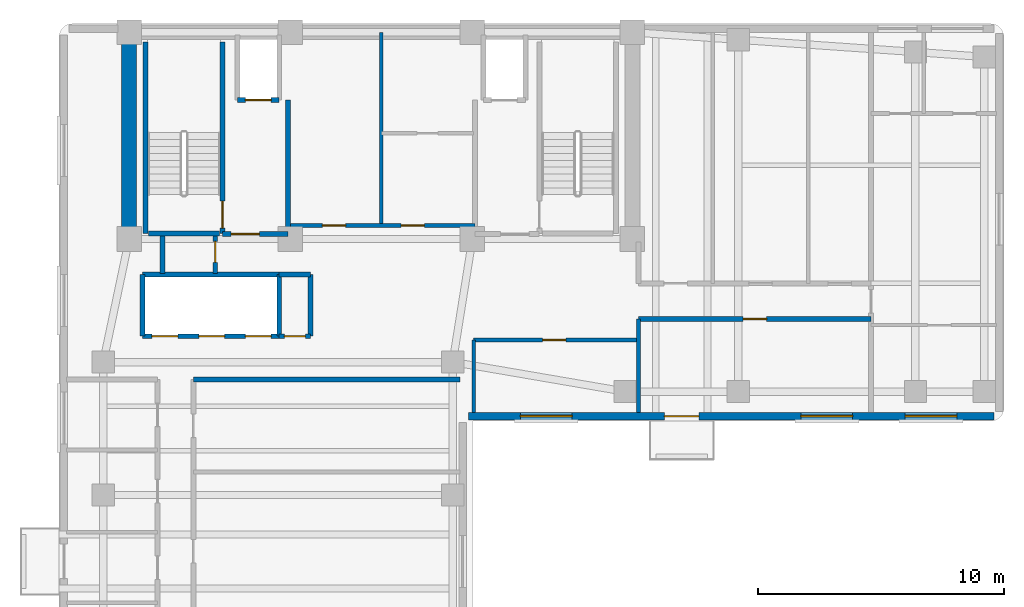
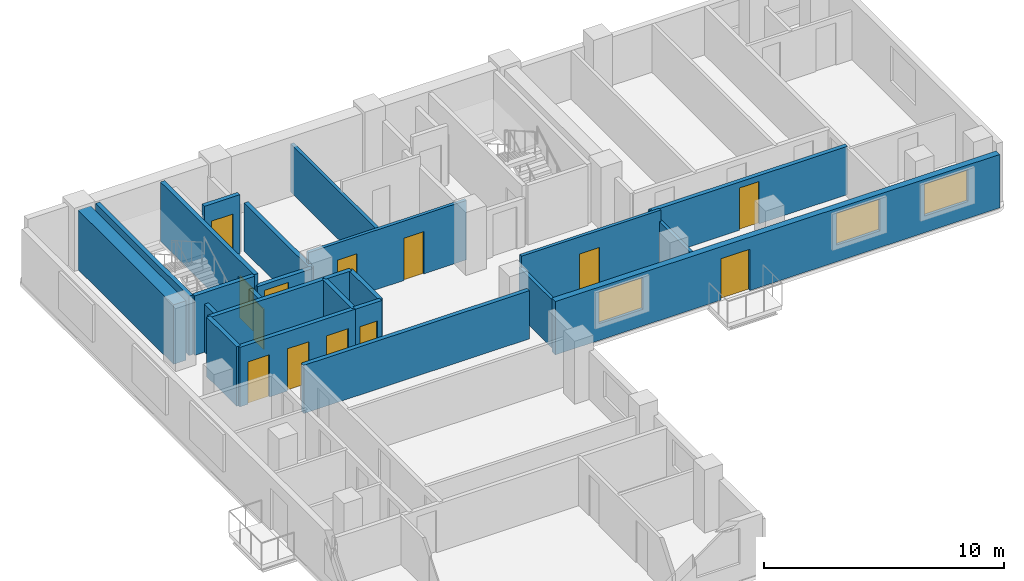
# One storey, part 3 of 7: 24 walls, 13 doors, 3 windows, 16 openings.
"""IFC4 building model written with IfcOpenShell, lengths in metres."""

from ifc_helpers import new_model, si_unit, direction, frame, frame_2d, origin, place, context, subcontext, project, spatial, rectangle, extrude, material, layer, layer_set, type_object, element, fill, save


model = new_model("IFC4")

# Units and contexts
model_context = context("Model", 3, precision=1e-05, world=origin(), true_north=direction((0.0, 1.0)))
body_context = subcontext(model_context, "Body", "Model", "MODEL_VIEW")
ifc_project = project(units=[si_unit("LENGTHUNIT", "METRE"), si_unit("AREAUNIT", "SQUARE_METRE"), si_unit("VOLUMEUNIT", "CUBIC_METRE"), si_unit("PLANEANGLEUNIT", "RADIAN"), si_unit("MASSUNIT", "GRAM", prefix="KILO")], contexts=[model_context])

# Site, building, storey
site_placement = place(None, origin())
site = spatial("IfcSite", under=ifc_project, at=site_placement, CompositionType="ELEMENT")
building_placement = place(site_placement, origin())
building = spatial("IfcBuilding", under=site, at=building_placement, Name="Kuzgunbayir Cultural Tower", CompositionType="ELEMENT")
storey_placement = place(building_placement, frame((0.0, 0.0, 179.199951171875)))
storey = spatial("IfcBuildingStorey", under=building, at=storey_placement, Name="L52", CompositionType="ELEMENT", Elevation=179.199951171875)

# Wall
ifc_material_1 = material(Name="Concrete C60/75", Category="concrete")
ifc_layer_1 = layer(ifc_material_1, 0.60009765625)
ifc_layer_set_1 = layer_set([ifc_layer_1], Name="Concrete C60/75")
wall_type_1 = type_object("IfcWallType", Name="WAL-CORE-600", PredefinedType="SHEAR", material=ifc_layer_set_1)
wall_1_placement = place(storey_placement, frame((6.449951171875, 33.800048828125, 0.0), z_axis=(0.0, 0.0, 1.0), x_axis=(0.0, 1.0, 0.0)))
element("IfcWall", 1, at=wall_1_placement, inside=storey, type_object=wall_type_1, Name="L52 T1 Core West Shear Wall", PredefinedType="SHEAR", context=body_context, shape_type="SweptSolid", body=[
    extrude(rectangle(XDim=7.949951171875, YDim=0.60009765625, at=frame_2d((3.97509765625, 0.0))), origin(), (0.0, 0.0, 1.0), 3.02001953125),
])

# Wall, openings, door, windows
ifc_material_2 = material(Name="Anatolian Cream Limestone", Category="masonry")
ifc_layer_2 = layer(ifc_material_2, 0.300048828125)
ifc_layer_set_2 = layer_set([ifc_layer_2], Name="Anatolian Cream Limestone")
wall_type_2 = type_object("IfcWallType", Name="WAL-EXT-STONE-300", PredefinedType="STANDARD", material=ifc_layer_set_2)
wall_2_placement = place(storey_placement, frame((20.25, 26.60009765625, 0.0), z_axis=(0.0, 0.0, 1.0), x_axis=(1.0, 0.0, 0.0)))
wall_2 = element("IfcWall", 2, at=wall_2_placement, inside=storey, type_object=wall_type_2, Name="L52 Wing B South Limestone Wall", PredefinedType="STANDARD", context=body_context, shape_type="SweptSolid", body=[
    extrude(rectangle(XDim=21.35009765625, YDim=0.300048828125, at=frame_2d((10.675048828125, 0.0))), origin(), (0.0, 0.0, 1.0), 2.7099609375),
])
opening_1_placement = place(wall_2_placement, frame((7.949951171875, 0.0, 0.0)))
opening_1 = element("IfcOpeningElement", 3, at=opening_1_placement, cuts=wall_2, Name="Opening BD-15", PredefinedType="OPENING", context=body_context, shape_type="SweptSolid", body=[
    extrude(rectangle(XDim=1.39990234375, YDim=2.10009765625, at=frame_2d((0.699951171875, 1.050048828125))), frame((0.0, 0.16015625, 0.0), z_axis=(0.0, -1.0, 0.0), x_axis=(1.0, 0.0, 0.0)), (0.0, 0.0, 1.0), 0.320068359375),
])
opening_2_placement = place(wall_2_placement, frame((17.72998046875, 0.0, 0.85009765625)))
opening_2 = element("IfcOpeningElement", 4, at=opening_2_placement, cuts=wall_2, Name="Opening WR-21", PredefinedType="OPENING", context=body_context, shape_type="SweptSolid", body=[
    extrude(rectangle(XDim=2.10009765625, YDim=1.610107421875, at=frame_2d((1.050048828125, 0.80517578125))), frame((0.0, 0.16015625, 0.0), z_axis=(0.0, -1.0, 0.0), x_axis=(1.0, 0.0, 0.0)), (0.0, 0.0, 1.0), 0.320068359375),
])
opening_3_placement = place(wall_2_placement, frame((2.10009765625, 0.0, 0.85009765625)))
opening_3 = element("IfcOpeningElement", 5, at=opening_3_placement, cuts=wall_2, Name="Opening WR-21", PredefinedType="OPENING", context=body_context, shape_type="SweptSolid", body=[
    extrude(rectangle(XDim=2.10009765625, YDim=1.610107421875, at=frame_2d((1.050048828125, 0.80517578125))), frame((0.0, 0.16015625, 0.0), z_axis=(0.0, -1.0, 0.0), x_axis=(1.0, 0.0, 0.0)), (0.0, 0.0, 1.0), 0.320068359375),
])
opening_4_placement = place(wall_2_placement, frame((13.5, 0.0, 0.85009765625)))
opening_4 = element("IfcOpeningElement", 6, at=opening_4_placement, cuts=wall_2, Name="Opening WR-21", PredefinedType="OPENING", context=body_context, shape_type="SweptSolid", body=[
    extrude(rectangle(XDim=2.10009765625, YDim=1.610107421875, at=frame_2d((1.050048828125, 0.80517578125))), frame((0.0, 0.16015625, 0.0), z_axis=(0.0, -1.0, 0.0), x_axis=(1.0, 0.0, 0.0)), (0.0, 0.0, 1.0), 0.320068359375),
])
ifc_material_3 = material(Name="Thermally Broken Glazed Aluminium", Category="aluminium")
door_type_1 = type_object("IfcDoorType", Name="DR-BALCONY-150", OperationType="SLIDING_TO_RIGHT", PredefinedType="DOOR", material=ifc_material_3)
door_1_placement = place(opening_1_placement, origin())
door_1 = element("IfcDoor", 7, at=door_1_placement, inside=storey, type_object=door_type_1, Name="L52 South Balcony Sliding Door BAL-L52-WB1", OperationType="SLIDING_TO_RIGHT", OverallHeight=2.10009765625, OverallWidth=1.39990234375, PredefinedType="DOOR", context=body_context, shape_type="SweptSolid", body=[
    extrude(rectangle(XDim=1.39990234375, YDim=2.10009765625, at=frame_2d((0.699951171875, 1.050048828125))), frame((0.0, 0.02490234375, 0.0), z_axis=(0.0, -1.0, 0.0), x_axis=(1.0, 0.0, 0.0)), (0.0, 0.0, 1.0), 0.050048828125),
])
fill(opening_1, door_1)
ifc_material_4 = material(Name="Solar-Control Triple Glazing", Category="glass")
window_type = type_object("IfcWindowType", Name="WIN-RESID-21", PartitioningType="SINGLE_PANEL", PredefinedType="WINDOW", material=ifc_material_4)
window_1_placement = place(opening_2_placement, origin())
window_1 = element("IfcWindow", 8, at=window_1_placement, inside=storey, type_object=window_type, Name="L52 WBS Facade Window 6", OverallHeight=1.610107421875, OverallWidth=2.10009765625, PartitioningType="SINGLE_PANEL", PredefinedType="WINDOW", context=body_context, shape_type="SweptSolid", body=[
    extrude(rectangle(XDim=2.10009765625, YDim=1.610107421875, at=frame_2d((1.050048828125, 0.80517578125))), frame((0.0, 0.030029296875, 0.0), z_axis=(0.0, -1.0, 0.0), x_axis=(1.0, 0.0, 0.0)), (0.0, 0.0, 1.0), 0.06005859375),
])
fill(opening_2, window_1)
window_2_placement = place(opening_3_placement, origin())
window_2 = element("IfcWindow", 9, at=window_2_placement, inside=storey, type_object=window_type, Name="L52 WBS Facade Window 15", OverallHeight=1.610107421875, OverallWidth=2.10009765625, PartitioningType="SINGLE_PANEL", PredefinedType="WINDOW", context=body_context, shape_type="SweptSolid", body=[
    extrude(rectangle(XDim=2.10009765625, YDim=1.610107421875, at=frame_2d((1.050048828125, 0.80517578125))), frame((0.0, 0.030029296875, 0.0), z_axis=(0.0, -1.0, 0.0), x_axis=(1.0, 0.0, 0.0)), (0.0, 0.0, 1.0), 0.06005859375),
])
fill(opening_3, window_2)
window_3_placement = place(opening_4_placement, origin())
window_3 = element("IfcWindow", 10, at=window_3_placement, inside=storey, type_object=window_type, Name="L52 WBS Facade Window 16", OverallHeight=1.610107421875, OverallWidth=2.10009765625, PartitioningType="SINGLE_PANEL", PredefinedType="WINDOW", context=body_context, shape_type="SweptSolid", body=[
    extrude(rectangle(XDim=2.10009765625, YDim=1.610107421875, at=frame_2d((1.050048828125, 0.80517578125))), frame((0.0, 0.030029296875, 0.0), z_axis=(0.0, -1.0, 0.0), x_axis=(1.0, 0.0, 0.0)), (0.0, 0.0, 1.0), 0.06005859375),
])
fill(opening_4, window_3)

# Wall, openings, doors
ifc_material_5 = material(Name="Acoustic Double-Stud Drywall", Category="gypsum")
ifc_layer_3 = layer(ifc_material_5, 0.14990234375)
ifc_layer_set_3 = layer_set([ifc_layer_3], Name="Acoustic Double-Stud Drywall")
wall_type_3 = type_object("IfcWallType", Name="WAL-PART-ACOUSTIC-150", PredefinedType="PARTITIONING", material=ifc_layer_set_3)
wall_3_placement = place(storey_placement, frame((12.89990234375, 34.35009765625, 0.0), z_axis=(0.0, 0.0, 1.0), x_axis=(1.0, 0.0, 0.0)))
wall_3 = element("IfcWall", 11, at=wall_3_placement, inside=storey, type_object=wall_type_3, Name="L52 Sky Core South Wall", PredefinedType="PARTITIONING", context=body_context, shape_type="SweptSolid", body=[
    extrude(rectangle(XDim=7.60009765625, YDim=0.14990234375, at=frame_2d((3.800048828125, 0.0))), origin(), (0.0, 0.0, 1.0), 3.02001953125),
])
opening_5_placement = place(wall_3_placement, frame((1.39990234375, 0.0, 0.0)))
opening_5 = element("IfcOpeningElement", 12, at=opening_5_placement, cuts=wall_3, Name="Opening DC-95", PredefinedType="OPENING", context=body_context, shape_type="SweptSolid", body=[
    extrude(rectangle(XDim=0.949951171875, YDim=2.14990234375, at=frame_2d((0.47509765625, 1.074951171875))), frame((0.0, 0.0849609375, 0.0), z_axis=(0.0, -1.0, 0.0), x_axis=(1.0, 0.0, 0.0)), (0.0, 0.0, 1.0), 0.169921875),
])
opening_6_placement = place(wall_3_placement, frame((4.60009765625, 0.0, 0.0)))
opening_6 = element("IfcOpeningElement", 13, at=opening_6_placement, cuts=wall_3, Name="Opening DC-95", PredefinedType="OPENING", context=body_context, shape_type="SweptSolid", body=[
    extrude(rectangle(XDim=0.949951171875, YDim=2.14990234375, at=frame_2d((0.47509765625, 1.074951171875))), frame((0.0, 0.0849609375, 0.0), z_axis=(0.0, -1.0, 0.0), x_axis=(1.0, 0.0, 0.0)), (0.0, 0.0, 1.0), 0.169921875),
])
ifc_material_6 = material(Name="Fire-Rated Veneered Oak Leaf", Category="wood")
door_type_2 = type_object("IfcDoorType", Name="DR-CORE-95", OperationType="NOTDEFINED", PredefinedType="DOOR", material=ifc_material_6)
door_2_placement = place(opening_5_placement, origin())
door_2 = element("IfcDoor", 14, at=door_2_placement, inside=storey, type_object=door_type_2, Name="L52 Library Alcove Door", OperationType="SINGLE_SWING_RIGHT", OverallHeight=2.14990234375, OverallWidth=0.949951171875, PredefinedType="DOOR", context=body_context, shape_type="SweptSolid", body=[
    extrude(rectangle(XDim=0.949951171875, YDim=2.14990234375, at=frame_2d((0.47509765625, 1.074951171875))), frame((0.0, 0.02490234375, 0.0), z_axis=(0.0, -1.0, 0.0), x_axis=(1.0, 0.0, 0.0)), (0.0, 0.0, 1.0), 0.050048828125),
])
fill(opening_5, door_2)
door_3_placement = place(opening_6_placement, origin())
door_3 = element("IfcDoor", 15, at=door_3_placement, inside=storey, type_object=door_type_2, Name="L52 Music Practice Room Door", OperationType="SINGLE_SWING_LEFT", OverallHeight=2.14990234375, OverallWidth=0.949951171875, PredefinedType="DOOR", context=body_context, shape_type="SweptSolid", body=[
    extrude(rectangle(XDim=0.949951171875, YDim=2.14990234375, at=frame_2d((0.47509765625, 1.074951171875))), frame((0.0, 0.02490234375, 0.0), z_axis=(0.0, -1.0, 0.0), x_axis=(1.0, 0.0, 0.0)), (0.0, 0.0, 1.0), 0.050048828125),
])
fill(opening_6, door_3)

# Wall
wall_4_placement = place(storey_placement, frame((16.699951171875, 34.35009765625, 0.0), z_axis=(0.0, 0.0, 1.0), x_axis=(0.0, 1.0, 0.0)))
element("IfcWall", 16, at=wall_4_placement, inside=storey, type_object=wall_type_3, Name="L52 Sky Core Vertical Wall", PredefinedType="PARTITIONING", context=body_context, shape_type="SweptSolid", body=[
    extrude(rectangle(XDim=7.849853515625, YDim=0.14990234375, at=frame_2d((3.9248046875, 0.0))), origin(), (0.0, 0.0, 1.0), 2.449951171875),
])

# Wall, opening, door
wall_5_placement = place(storey_placement, frame((20.449951171875, 29.699951171875, 0.0), z_axis=(0.0, 0.0, 1.0), x_axis=(1.0, 0.0, 0.0)))
wall_5 = element("IfcWall", 17, at=wall_5_placement, inside=storey, type_object=wall_type_3, Name="L52 Waist Alcove North Wall", PredefinedType="PARTITIONING", context=body_context, shape_type="SweptSolid", body=[
    extrude(rectangle(XDim=6.699951171875, YDim=0.14990234375, at=frame_2d((3.35009765625, 0.0))), origin(), (0.0, 0.0, 1.0), 3.02001953125),
])
opening_7_placement = place(wall_5_placement, frame((2.800048828125, 0.0, 0.0)))
opening_7 = element("IfcOpeningElement", 18, at=opening_7_placement, cuts=wall_5, Name="Opening DI-90", PredefinedType="OPENING", context=body_context, shape_type="SweptSolid", body=[
    extrude(rectangle(XDim=0.949951171875, YDim=2.14990234375, at=frame_2d((0.47509765625, 1.074951171875))), frame((0.0, 0.0849609375, 0.0), z_axis=(0.0, -1.0, 0.0), x_axis=(1.0, 0.0, 0.0)), (0.0, 0.0, 1.0), 0.169921875),
])
ifc_material_7 = material(Name="Veneered Oak Single Leaf", Category="wood")
door_type_3 = type_object("IfcDoorType", Name="DR-INT-90", OperationType="NOTDEFINED", PredefinedType="DOOR", material=ifc_material_7)
door_4_placement = place(opening_7_placement, origin())
door_4 = element("IfcDoor", 19, at=door_4_placement, inside=storey, type_object=door_type_3, Name="L52 Waist Alcove Door", OperationType="SINGLE_SWING_LEFT", OverallHeight=2.14990234375, OverallWidth=0.949951171875, PredefinedType="DOOR", context=body_context, shape_type="SweptSolid", body=[
    extrude(rectangle(XDim=0.949951171875, YDim=2.14990234375, at=frame_2d((0.47509765625, 1.074951171875))), frame((0.0, 0.02490234375, 0.0), z_axis=(0.0, -1.0, 0.0), x_axis=(1.0, 0.0, 0.0)), (0.0, 0.0, 1.0), 0.050048828125),
])
fill(opening_7, door_4)

# Walls
wall_6_placement = place(storey_placement, frame((20.449951171875, 26.75, 0.0), z_axis=(0.0, 0.0, 1.0), x_axis=(0.0, 1.0, 0.0)))
element("IfcWall", 20, at=wall_6_placement, inside=storey, type_object=wall_type_3, Name="L52 Waist Alcove West Wall", PredefinedType="PARTITIONING", context=body_context, shape_type="SweptSolid", body=[
    extrude(rectangle(XDim=2.949951171875, YDim=0.14990234375, at=frame_2d((1.47509765625, 0.0))), origin(), (0.0, 0.0, 1.0), 2.449951171875),
])
wall_7_placement = place(storey_placement, frame((27.14990234375, 26.75, 0.0), z_axis=(0.0, 0.0, 1.0), x_axis=(0.0, 1.0, 0.0)))
element("IfcWall", 21, at=wall_7_placement, inside=storey, type_object=wall_type_3, Name="L52 Waist Alcove East Wall", PredefinedType="PARTITIONING", context=body_context, shape_type="SweptSolid", body=[
    extrude(rectangle(XDim=3.800048828125, YDim=0.14990234375, at=frame_2d((1.89990234375, 0.0))), origin(), (0.0, 0.0, 1.0), 2.449951171875),
])
ifc_material_8 = material(Name="Aerated Concrete Blockwork", Category="masonry")
ifc_layer_4 = layer(ifc_material_8, 0.199951171875)
ifc_layer_set_4 = layer_set([ifc_layer_4], Name="Aerated Concrete Blockwork")
wall_type_4 = type_object("IfcWallType", Name="WAL-PART-FIRE-200", PredefinedType="PARTITIONING", material=ifc_layer_set_4)
wall_8_placement = place(storey_placement, frame((12.89990234375, 34.0, 0.0), z_axis=(0.0, 0.0, 1.0), x_axis=(0.0, 1.0, 0.0)))
element("IfcWall", 22, at=wall_8_placement, inside=storey, type_object=wall_type_4, Name="L52 FFL-1 Lobby East Fire Wall", PredefinedType="PARTITIONING", context=body_context, shape_type="SweptSolid", body=[
    extrude(rectangle(XDim=5.449951171875, YDim=0.199951171875, at=frame_2d((2.72509765625, 0.0))), origin(), (0.0, 0.0, 1.0), 2.449951171875),
])

# Wall, opening, door
wall_9_placement = place(storey_placement, frame((10.239990234375, 34.0, 0.0), z_axis=(0.0, 0.0, 1.0), x_axis=(1.0, 0.0, 0.0)))
wall_9 = element("IfcWall", 23, at=wall_9_placement, inside=storey, type_object=wall_type_4, Name="L52 FFL-1 Lobby South Fire Wall", PredefinedType="PARTITIONING", context=body_context, shape_type="SweptSolid", body=[
    extrude(rectangle(XDim=2.659912109375, YDim=0.199951171875, at=frame_2d((1.330078125, 0.0))), origin(), (0.0, 0.0, 1.0), 2.449951171875),
])
opening_8_placement = place(wall_9_placement, frame((0.35009765625, 0.0, 0.0)))
opening_8 = element("IfcOpeningElement", 24, at=opening_8_placement, cuts=wall_9, Name="Opening DR-FFL-90", PredefinedType="OPENING", context=body_context, shape_type="SweptSolid", body=[
    extrude(rectangle(XDim=1.14990234375, YDim=2.14990234375, at=frame_2d((0.574951171875, 1.074951171875))), frame((0.0, 0.10986328125, 0.0), z_axis=(0.0, -1.0, 0.0), x_axis=(1.0, 0.0, 0.0)), (0.0, 0.0, 1.0), 0.219970703125),
])
ifc_material_9 = material(Name="Steel S355J2", Category="steel")
door_type_4 = type_object("IfcDoorType", Name="DR-FFL-90", OperationType="NOTDEFINED", PredefinedType="DOOR", material=ifc_material_9)
door_5_placement = place(opening_8_placement, origin())
door_5 = element("IfcDoor", 25, at=door_5_placement, inside=storey, type_object=door_type_4, Name="L52 Firefighting Lobby 1 Door", OperationType="SINGLE_SWING_RIGHT", OverallHeight=2.14990234375, OverallWidth=1.14990234375, PredefinedType="DOOR", context=body_context, shape_type="SweptSolid", body=[
    extrude(rectangle(XDim=1.14990234375, YDim=2.14990234375, at=frame_2d((0.574951171875, 1.074951171875))), frame((0.0, 0.02490234375, 0.0), z_axis=(0.0, -1.0, 0.0), x_axis=(1.0, 0.0, 0.0)), (0.0, 0.0, 1.0), 0.050048828125),
])
fill(opening_8, door_5)

wall_10_placement = place(storey_placement, frame((12.550048828125, 29.85009765625, 0.0), z_axis=(0.0, 0.0, 1.0), x_axis=(1.0, 0.0, 0.0)))
wall_10 = element("IfcWall", 26, at=wall_10_placement, inside=storey, type_object=wall_type_4, Name="L52 Center Core Switchgear South Wall", PredefinedType="PARTITIONING", context=body_context, shape_type="SweptSolid", body=[
    extrude(rectangle(XDim=1.27001953125, YDim=0.199951171875, at=frame_2d((0.635009765625, 0.0))), origin(), (0.0, 0.0, 1.0), 3.02001953125),
])
opening_9_placement = place(wall_10_placement, frame((0.2099609375, 0.0, 0.0)))
opening_9 = element("IfcOpeningElement", 27, at=opening_9_placement, cuts=wall_10, Name="Opening DR-RSR-60", PredefinedType="OPENING", context=body_context, shape_type="SweptSolid", body=[
    extrude(rectangle(XDim=0.85009765625, YDim=2.050048828125, at=frame_2d((0.425048828125, 1.02490234375))), frame((0.0, 0.10986328125, 0.0), z_axis=(0.0, -1.0, 0.0), x_axis=(1.0, 0.0, 0.0)), (0.0, 0.0, 1.0), 0.219970703125),
])
ifc_material_10 = material(Name="Steel Access Leaf", Category="steel")
door_type_5 = type_object("IfcDoorType", Name="DR-RISER-60", OperationType="NOTDEFINED", PredefinedType="DOOR", material=ifc_material_10)
door_6_placement = place(opening_9_placement, origin())
door_6 = element("IfcDoor", 28, at=door_6_placement, inside=storey, type_object=door_type_5, Name="L52 Electrical Switchgear Closet Door", OperationType="SINGLE_SWING_RIGHT", OverallHeight=2.050048828125, OverallWidth=0.85009765625, PredefinedType="DOOR", context=body_context, shape_type="SweptSolid", body=[
    extrude(rectangle(XDim=0.85009765625, YDim=2.050048828125, at=frame_2d((0.425048828125, 1.02490234375))), frame((0.0, 0.02490234375, 0.0), z_axis=(0.0, -1.0, 0.0), x_axis=(1.0, 0.0, 0.0)), (0.0, 0.0, 1.0), 0.050048828125),
])
fill(opening_9, door_6)

# Walls
wall_11_placement = place(storey_placement, frame((13.820068359375, 29.85009765625, 0.0), z_axis=(0.0, 0.0, 1.0), x_axis=(0.0, 1.0, 0.0)))
element("IfcWall", 29, at=wall_11_placement, inside=storey, type_object=wall_type_4, Name="L52 Center Core Switchgear East Wall", PredefinedType="PARTITIONING", context=body_context, shape_type="SweptSolid", body=[
    extrude(rectangle(XDim=2.5, YDim=0.199951171875, at=frame_2d((1.25, 0.0))), origin(), (0.0, 0.0, 1.0), 3.02001953125),
])
wall_12_placement = place(storey_placement, frame((12.550048828125, 32.35009765625, 0.0), z_axis=(0.0, 0.0, 1.0), x_axis=(1.0, 0.0, 0.0)))
element("IfcWall", 30, at=wall_12_placement, inside=storey, type_object=wall_type_4, Name="L52 Center Core Switchgear North Wall", PredefinedType="PARTITIONING", context=body_context, shape_type="SweptSolid", body=[
    extrude(rectangle(XDim=1.27001953125, YDim=0.199951171875, at=frame_2d((0.635009765625, 0.0))), origin(), (0.0, 0.0, 1.0), 3.02001953125),
])
wall_13_placement = place(storey_placement, frame((7.800048828125, 32.39990234375, 0.0), z_axis=(0.0, 0.0, 1.0), x_axis=(0.0, 1.0, 0.0)))
element("IfcWall", 31, at=wall_13_placement, inside=storey, type_object=wall_type_4, Name="L52 West Core Electrical Closet West Wall", PredefinedType="PARTITIONING", context=body_context, shape_type="SweptSolid", body=[
    extrude(rectangle(XDim=1.52001953125, YDim=0.199951171875, at=frame_2d((0.760009765625, 0.0))), origin(), (0.0, 0.0, 1.0), 2.449951171875),
])

# Wall, opening, door
wall_14_placement = place(storey_placement, frame((9.949951171875, 32.39990234375, 0.0), z_axis=(0.0, 0.0, 1.0), x_axis=(0.0, 1.0, 0.0)))
wall_14 = element("IfcWall", 32, at=wall_14_placement, inside=storey, type_object=wall_type_4, Name="L52 West Core Electrical Closet East Wall", PredefinedType="PARTITIONING", context=body_context, shape_type="SweptSolid", body=[
    extrude(rectangle(XDim=1.52001953125, YDim=0.199951171875, at=frame_2d((0.760009765625, 0.0))), origin(), (0.0, 0.0, 1.0), 2.449951171875),
])
opening_10_placement = place(wall_14_placement, frame((0.449951171875, 0.0, 0.0)))
opening_10 = element("IfcOpeningElement", 33, at=opening_10_placement, cuts=wall_14, Name="Opening DR-RSR-60", PredefinedType="OPENING", context=body_context, shape_type="SweptSolid", body=[
    extrude(rectangle(XDim=0.85009765625, YDim=2.050048828125, at=frame_2d((0.425048828125, 1.02490234375))), frame((0.0, 0.10986328125, 0.0), z_axis=(0.0, -1.0, 0.0), x_axis=(1.0, 0.0, 0.0)), (0.0, 0.0, 1.0), 0.219970703125),
])
door_7_placement = place(opening_10_placement, origin())
door_7 = element("IfcDoor", 34, at=door_7_placement, inside=storey, type_object=door_type_5, Name="L52 West Core Switchgear Closet Door", OperationType="SINGLE_SWING_LEFT", OverallHeight=2.050048828125, OverallWidth=0.85009765625, PredefinedType="DOOR", context=body_context, shape_type="SweptSolid", body=[
    extrude(rectangle(XDim=0.85009765625, YDim=2.050048828125, at=frame_2d((0.425048828125, 1.02490234375))), frame((0.0, 0.02490234375, 0.0), z_axis=(0.0, -1.0, 0.0), x_axis=(1.0, 0.0, 0.0)), (0.0, 0.0, 1.0), 0.050048828125),
])
fill(opening_10, door_7)

# Wall
wall_15_placement = place(storey_placement, frame((9.06005859375, 28.10009765625, 0.0), z_axis=(0.0, 0.0, 1.0), x_axis=(1.0, 0.0, 0.0)))
element("IfcWall", 35, at=wall_15_placement, inside=storey, type_object=wall_type_4, Name="L52 North East Partition", PredefinedType="PARTITIONING", context=body_context, shape_type="SweptSolid", body=[
    extrude(rectangle(XDim=10.83984375, YDim=0.199951171875, at=frame_2d((5.419921875, 0.0))), origin(), (0.0, 0.0, 1.0), 2.449951171875),
])

# Wall, opening, door
wall_16_placement = place(storey_placement, frame((27.14990234375, 30.550048828125, 0.0), z_axis=(0.0, 0.0, 1.0), x_axis=(1.0, 0.0, 0.0)))
wall_16 = element("IfcWall", 36, at=wall_16_placement, inside=storey, type_object=wall_type_4, Name="L52 Wing B Residence Corridor South Wall", PredefinedType="PARTITIONING", context=body_context, shape_type="SweptSolid", body=[
    extrude(rectangle(XDim=9.4501953125, YDim=0.199951171875, at=frame_2d((4.72509765625, 0.0))), origin(), (0.0, 0.0, 1.0), 2.449951171875),
])
opening_11_placement = place(wall_16_placement, frame((4.25, 0.0, 0.0)))
opening_11 = element("IfcOpeningElement", 37, at=opening_11_placement, cuts=wall_16, Name="Opening DI-90", PredefinedType="OPENING", context=body_context, shape_type="SweptSolid", body=[
    extrude(rectangle(XDim=0.949951171875, YDim=2.14990234375, at=frame_2d((0.47509765625, 1.074951171875))), frame((0.0, 0.10986328125, 0.0), z_axis=(0.0, -1.0, 0.0), x_axis=(1.0, 0.0, 0.0)), (0.0, 0.0, 1.0), 0.219970703125),
])
door_8_placement = place(opening_11_placement, origin())
door_8 = element("IfcDoor", 38, at=door_8_placement, inside=storey, type_object=door_type_3, Name="L52 Wing B Culinary Tasting Pantry 1 Door", OperationType="SINGLE_SWING_LEFT", OverallHeight=2.14990234375, OverallWidth=0.949951171875, PredefinedType="DOOR", context=body_context, shape_type="SweptSolid", body=[
    extrude(rectangle(XDim=0.949951171875, YDim=2.14990234375, at=frame_2d((0.47509765625, 1.074951171875))), frame((0.0, 0.02490234375, 0.0), z_axis=(0.0, -1.0, 0.0), x_axis=(1.0, 0.0, 0.0)), (0.0, 0.0, 1.0), 0.050048828125),
])
fill(opening_11, door_8)

# Wall, openings, doors
ifc_material_11 = material(Name="Concrete C40/50", Category="concrete")
ifc_layer_5 = layer(ifc_material_11, 0.199951171875)
ifc_layer_set_5 = layer_set([ifc_layer_5], Name="Concrete C40/50")
wall_type_5 = type_object("IfcWallType", Name="WAL-SHAFT-200", PredefinedType="MOVABLE", material=ifc_layer_set_5)
wall_17_placement = place(storey_placement, frame((7.0, 29.85009765625, 0.0), z_axis=(0.0, 0.0, 1.0), x_axis=(1.0, 0.0, 0.0)))
wall_17 = element("IfcWall", 39, at=wall_17_placement, inside=storey, type_object=wall_type_5, Name="L52 High-Rise Lift Shaft South Wall", PredefinedType="MOVABLE", context=body_context, shape_type="SweptSolid", body=[
    extrude(rectangle(XDim=5.550048828125, YDim=0.199951171875, at=frame_2d((2.77490234375, 0.0))), origin(), (0.0, 0.0, 1.0), 3.02001953125),
])
opening_12_placement = place(wall_17_placement, frame((0.3798828125, 0.0, 0.0)))
opening_12 = element("IfcOpeningElement", 40, at=opening_12_placement, cuts=wall_17, Name="Opening LD", PredefinedType="OPENING", context=body_context, shape_type="SweptSolid", body=[
    extrude(rectangle(XDim=1.050048828125, YDim=2.14990234375, at=frame_2d((0.52490234375, 1.074951171875))), frame((0.0, 0.10986328125, 0.0), z_axis=(0.0, -1.0, 0.0), x_axis=(1.0, 0.0, 0.0)), (0.0, 0.0, 1.0), 0.219970703125),
])
opening_13_placement = place(wall_17_placement, frame((2.280029296875, 0.0, 0.0)))
opening_13 = element("IfcOpeningElement", 41, at=opening_13_placement, cuts=wall_17, Name="Opening LD", PredefinedType="OPENING", context=body_context, shape_type="SweptSolid", body=[
    extrude(rectangle(XDim=1.050048828125, YDim=2.14990234375, at=frame_2d((0.52490234375, 1.074951171875))), frame((0.0, 0.10986328125, 0.0), z_axis=(0.0, -1.0, 0.0), x_axis=(1.0, 0.0, 0.0)), (0.0, 0.0, 1.0), 0.219970703125),
])
opening_14_placement = place(wall_17_placement, frame((4.169921875, 0.0, 0.0)))
opening_14 = element("IfcOpeningElement", 42, at=opening_14_placement, cuts=wall_17, Name="Opening LD", PredefinedType="OPENING", context=body_context, shape_type="SweptSolid", body=[
    extrude(rectangle(XDim=1.050048828125, YDim=2.14990234375, at=frame_2d((0.52490234375, 1.074951171875))), frame((0.0, 0.10986328125, 0.0), z_axis=(0.0, -1.0, 0.0), x_axis=(1.0, 0.0, 0.0)), (0.0, 0.0, 1.0), 0.219970703125),
])
ifc_material_12 = material(Name="Brushed Stainless Steel", Category="steel")
door_type_6 = type_object("IfcDoorType", Name="DR-LIFT-LANDING", OperationType="SLIDING_TO_LEFT", PredefinedType="DOOR", material=ifc_material_12)
door_9_placement = place(opening_12_placement, origin())
door_9 = element("IfcDoor", 43, at=door_9_placement, inside=storey, type_object=door_type_6, Name="L52 Lift PH-1 Landing Door", OperationType="SLIDING_TO_LEFT", OverallHeight=2.14990234375, OverallWidth=1.050048828125, PredefinedType="DOOR", context=body_context, shape_type="SweptSolid", body=[
    extrude(rectangle(XDim=1.050048828125, YDim=2.14990234375, at=frame_2d((0.52490234375, 1.074951171875))), frame((0.0, 0.02490234375, 0.0), z_axis=(0.0, -1.0, 0.0), x_axis=(1.0, 0.0, 0.0)), (0.0, 0.0, 1.0), 0.050048828125),
])
fill(opening_12, door_9)
door_10_placement = place(opening_13_placement, origin())
door_10 = element("IfcDoor", 44, at=door_10_placement, inside=storey, type_object=door_type_6, Name="L52 Lift PH-2 Landing Door", OperationType="SLIDING_TO_LEFT", OverallHeight=2.14990234375, OverallWidth=1.050048828125, PredefinedType="DOOR", context=body_context, shape_type="SweptSolid", body=[
    extrude(rectangle(XDim=1.050048828125, YDim=2.14990234375, at=frame_2d((0.52490234375, 1.074951171875))), frame((0.0, 0.02490234375, 0.0), z_axis=(0.0, -1.0, 0.0), x_axis=(1.0, 0.0, 0.0)), (0.0, 0.0, 1.0), 0.050048828125),
])
fill(opening_13, door_10)
door_11_placement = place(opening_14_placement, origin())
door_11 = element("IfcDoor", 45, at=door_11_placement, inside=storey, type_object=door_type_6, Name="L52 Lift PH-3 Landing Door", OperationType="SLIDING_TO_LEFT", OverallHeight=2.14990234375, OverallWidth=1.050048828125, PredefinedType="DOOR", context=body_context, shape_type="SweptSolid", body=[
    extrude(rectangle(XDim=1.050048828125, YDim=2.14990234375, at=frame_2d((0.52490234375, 1.074951171875))), frame((0.0, 0.02490234375, 0.0), z_axis=(0.0, -1.0, 0.0), x_axis=(1.0, 0.0, 0.0)), (0.0, 0.0, 1.0), 0.050048828125),
])
fill(opening_14, door_11)

# Walls
wall_18_placement = place(storey_placement, frame((7.0, 32.35009765625, 0.0), z_axis=(0.0, 0.0, 1.0), x_axis=(1.0, 0.0, 0.0)))
element("IfcWall", 46, at=wall_18_placement, inside=storey, type_object=wall_type_5, Name="L52 High-Rise Lift Shaft North Wall", PredefinedType="MOVABLE", context=body_context, shape_type="SweptSolid", body=[
    extrude(rectangle(XDim=5.550048828125, YDim=0.199951171875, at=frame_2d((2.77490234375, 0.0))), origin(), (0.0, 0.0, 1.0), 3.02001953125),
])
for number, where, z_axis, x_axis, name in (
    (47, (7.0, 29.85009765625, 0.0), (0.0, 0.0, 1.0), (0.0, 1.0, 0.0), "L52 High-Rise Lift Shaft West Wall"),
    (48, (12.550048828125, 29.85009765625, 0.0), (0.0, 0.0, 1.0), (0.0, 1.0, 0.0), "L52 High-Rise Lift Shaft East Wall"),
):
    element("IfcWall", number, at=place(storey_placement, frame(where, z_axis=z_axis, x_axis=x_axis)), inside=storey, type_object=wall_type_5, Name=name, PredefinedType="MOVABLE", context=body_context, shape_type="SweptSolid", body=[
        extrude(rectangle(XDim=2.5, YDim=0.199951171875, at=frame_2d((1.25, 0.0))), origin(), (0.0, 0.0, 1.0), 3.02001953125),
    ])

# Wall, opening, door
wall_19_placement = place(storey_placement, frame((10.85009765625, 39.449951171875, 0.0), z_axis=(0.0, 0.0, 1.0), x_axis=(1.0, 0.0, 0.0)))
wall_19 = element("IfcWall", 49, at=wall_19_placement, inside=storey, type_object=wall_type_5, Name="L52 FFL-1 Lift Front Wall", PredefinedType="MOVABLE", context=body_context, shape_type="SweptSolid", body=[
    extrude(rectangle(XDim=1.699951171875, YDim=0.199951171875, at=frame_2d((0.85009765625, 0.0))), origin(), (0.0, 0.0, 1.0), 3.02001953125),
])
opening_15_placement = place(wall_19_placement, frame((0.320068359375, 0.0, 0.0)))
opening_15 = element("IfcOpeningElement", 50, at=opening_15_placement, cuts=wall_19, Name="Opening LD", PredefinedType="OPENING", context=body_context, shape_type="SweptSolid", body=[
    extrude(rectangle(XDim=1.050048828125, YDim=2.14990234375, at=frame_2d((0.52490234375, 1.074951171875))), frame((0.0, 0.10986328125, 0.0), z_axis=(0.0, -1.0, 0.0), x_axis=(1.0, 0.0, 0.0)), (0.0, 0.0, 1.0), 0.219970703125),
])
door_12_placement = place(opening_15_placement, origin())
door_12 = element("IfcDoor", 51, at=door_12_placement, inside=storey, type_object=door_type_6, Name="L52 Lift FFL-1 Landing Door", OperationType="SLIDING_TO_LEFT", OverallHeight=2.14990234375, OverallWidth=1.050048828125, PredefinedType="DOOR", context=body_context, shape_type="SweptSolid", body=[
    extrude(rectangle(XDim=1.050048828125, YDim=2.14990234375, at=frame_2d((0.52490234375, 1.074951171875))), frame((0.0, 0.02490234375, 0.0), z_axis=(0.0, -1.0, 0.0), x_axis=(1.0, 0.0, 0.0)), (0.0, 0.0, 1.0), 0.050048828125),
])
fill(opening_15, door_12)

# Wall
ifc_layer_6 = layer(ifc_material_11, 0.199951171875)
ifc_layer_set_6 = layer_set([ifc_layer_6], Name="Concrete C40/50")
wall_type_6 = type_object("IfcWallType", Name="WAL-STAIR-RC-200", PredefinedType="SHEAR", material=ifc_layer_set_6)
wall_20_placement = place(storey_placement, frame((7.1201171875, 34.02001953125, 0.0), z_axis=(0.0, 0.0, 1.0), x_axis=(0.0, 1.0, 0.0)))
element("IfcWall", 52, at=wall_20_placement, inside=storey, type_object=wall_type_6, Name="L52 Stair ST-1 West Structural Wall", PredefinedType="SHEAR", context=body_context, shape_type="SweptSolid", body=[
    extrude(rectangle(XDim=7.780029296875, YDim=0.199951171875, at=frame_2d((3.89013671875, 0.0))), origin(), (0.0, 0.0, 1.0), 3.02001953125),
])

# Wall, opening, door
wall_21_placement = place(storey_placement, frame((10.239990234375, 34.02001953125, 0.0), z_axis=(0.0, 0.0, 1.0), x_axis=(0.0, 1.0, 0.0)))
wall_21 = element("IfcWall", 53, at=wall_21_placement, inside=storey, type_object=wall_type_6, Name="L52 Stair ST-1 East Structural Wall", PredefinedType="SHEAR", context=body_context, shape_type="SweptSolid", body=[
    extrude(rectangle(XDim=7.780029296875, YDim=0.199951171875, at=frame_2d((3.89013671875, 0.0))), origin(), (0.0, 0.0, 1.0), 3.02001953125),
])
opening_16_placement = place(wall_21_placement, frame((0.219970703125, 0.0, 0.0)))
opening_16 = element("IfcOpeningElement", 54, at=opening_16_placement, cuts=wall_21, Name="Opening DR-STAIR-90", PredefinedType="OPENING", context=body_context, shape_type="SweptSolid", body=[
    extrude(rectangle(XDim=1.10009765625, YDim=2.14990234375, at=frame_2d((0.550048828125, 1.074951171875))), frame((0.0, 0.10986328125, 0.0), z_axis=(0.0, -1.0, 0.0), x_axis=(1.0, 0.0, 0.0)), (0.0, 0.0, 1.0), 0.219970703125),
])
door_type_7 = type_object("IfcDoorType", Name="DR-STAIR-90", OperationType="NOTDEFINED", PredefinedType="DOOR", material=ifc_material_9)
door_13_placement = place(opening_16_placement, origin())
door_13 = element("IfcDoor", 55, at=door_13_placement, inside=storey, type_object=door_type_7, Name="L52 Stair ST-1 Fire Door", OperationType="SINGLE_SWING_RIGHT", OverallHeight=2.14990234375, OverallWidth=1.10009765625, PredefinedType="DOOR", context=body_context, shape_type="SweptSolid", body=[
    extrude(rectangle(XDim=1.10009765625, YDim=2.14990234375, at=frame_2d((0.550048828125, 1.074951171875))), frame((0.0, 0.02490234375, 0.0), z_axis=(0.0, -1.0, 0.0), x_axis=(1.0, 0.0, 0.0)), (0.0, 0.0, 1.0), 0.050048828125),
])
fill(opening_16, door_13)

# Wall
wall_22_placement = place(storey_placement, frame((7.239990234375, 34.02001953125, 0.0), z_axis=(0.0, 0.0, 1.0), x_axis=(1.0, 0.0, 0.0)))
element("IfcWall", 56, at=wall_22_placement, inside=storey, type_object=wall_type_6, Name="L52 Stair ST-1 South Structural Wall", PredefinedType="SHEAR", context=body_context, shape_type="SweptSolid", body=[
    extrude(rectangle(XDim=2.880126953125, YDim=0.199951171875, at=frame_2d((1.43994140625, 0.0))), origin(), (0.0, 0.0, 1.0), 3.02001953125),
])

save(model, "model.ifc")
